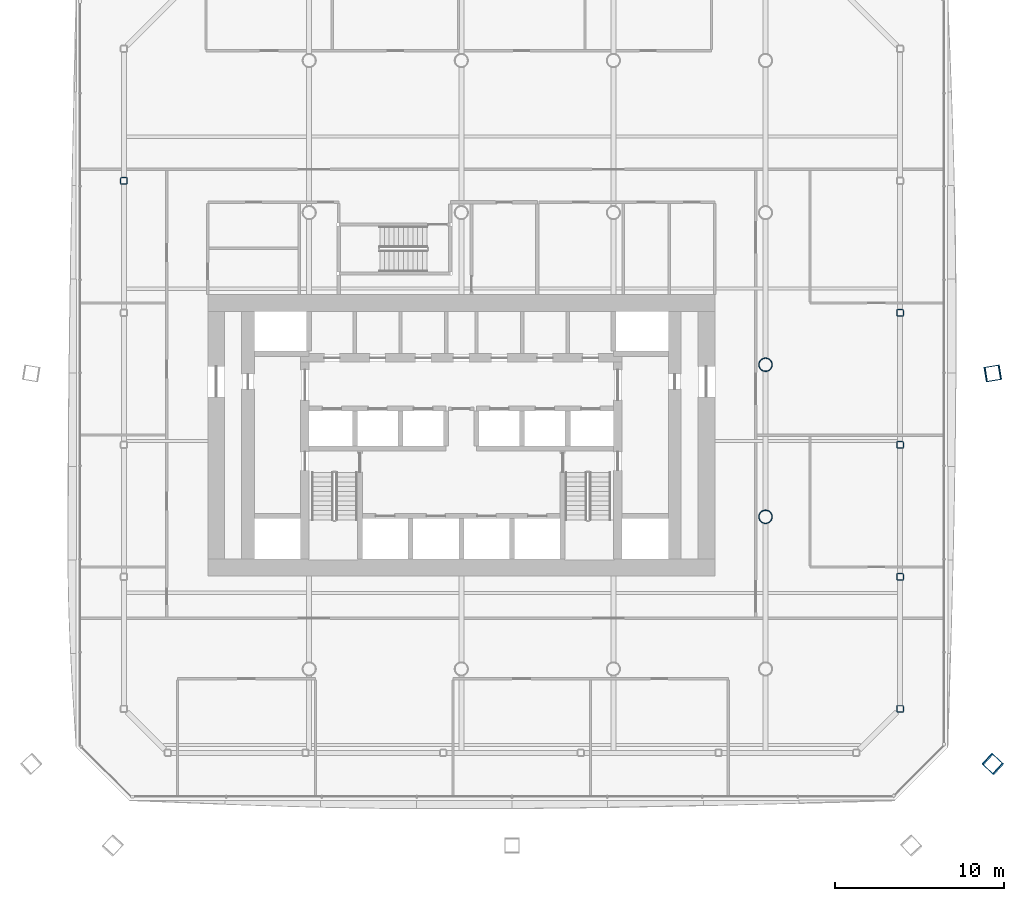
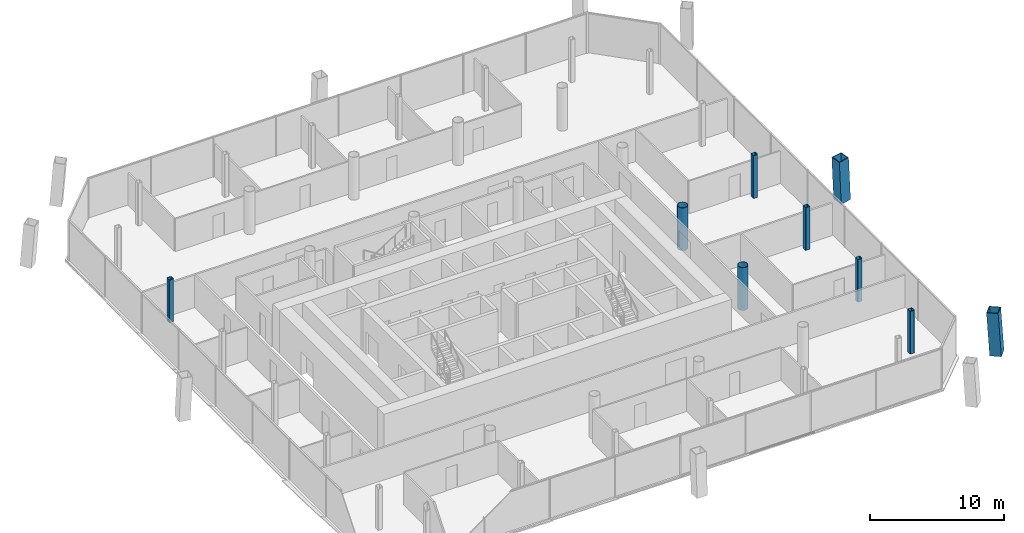
# One storey, part 2 of 20: 9 columns.
"""IFC4 building model written with IfcOpenShell, lengths in metres."""

from ifc_helpers import new_model, si_unit, direction, frame, origin, origin_2d, place, context, subcontext, project, spatial, hollow_rectangle, hollow_circle, extrude, material, material_profile, profile_set, type_object, element, save


model = new_model("IFC4")

# Units and contexts
model_context = context("Model", 3, precision=1e-05, world=origin(), true_north=direction((0.0, 1.0)))
body_context = subcontext(model_context, "Body", "Model", "MODEL_VIEW")
ifc_project = project(units=[si_unit("LENGTHUNIT", "METRE"), si_unit("AREAUNIT", "SQUARE_METRE"), si_unit("VOLUMEUNIT", "CUBIC_METRE"), si_unit("PLANEANGLEUNIT", "RADIAN"), si_unit("MASSUNIT", "GRAM", prefix="KILO")], contexts=[model_context])

# Site, building, storey
site_placement = place(None, origin())
site = spatial("IfcSite", under=ifc_project, at=site_placement, CompositionType="ELEMENT")
building_placement = place(site_placement, origin())
building = spatial("IfcBuilding", under=site, at=building_placement, Name="Tskaro Facet Tower", CompositionType="ELEMENT")
storey_placement = place(building_placement, frame((0.0, 0.0, 66.0)))
storey = spatial("IfcBuildingStorey", under=building, at=storey_placement, Name="L15", CompositionType="ELEMENT", Elevation=66.0)

# Columns
ifc_material_1 = material(Name="Steel S460M", Category="steel")
ifc_material_profile_1 = material_profile(ifc_material_1, hollow_rectangle(XDim=0.89990234375, YDim=0.89990234375, WallThickness=0.054931640625, at=origin_2d()), Name="BOX 900x900x55")
ifc_profile_set_1 = profile_set([ifc_material_profile_1], Name="Steel S460M")
column_type_1 = type_object("IfcColumnType", Name="BOX 900x900x55 mega column", PredefinedType="COLUMN", material=ifc_profile_set_1)
column_1_placement = place(storey_placement, frame((31.47607421875, -23.64892578125, 0.0), z_axis=(-0.046607430126, 0.042733890357, 0.997998778592), x_axis=(-0.675814105711, -0.737072109445, 0.0)))
element("IfcColumn", 1, at=column_1_placement, inside=storey, type_object=column_type_1, Name="BOX 900x900x55 MC04/2", PredefinedType="COLUMN", context=body_context, shape_type="SweptSolid", body=[
    extrude(hollow_rectangle(XDim=0.89990234375, YDim=0.89990234375, WallThickness=0.054931640625, at=origin_2d()), origin(), (0.0, 0.0, 1.0), 3.90771484375),
])
column_2_placement = place(storey_placement, frame((31.47607421875, -0.508056640625, 0.0), z_axis=(-0.046648665532, -0.007691401958, 0.998881746925), x_axis=(0.162682900473, -0.986678404493, 0.0)))
element("IfcColumn", 2, at=column_2_placement, inside=storey, type_object=column_type_1, Name="BOX 900x900x55 MC05/2", PredefinedType="COLUMN", context=body_context, shape_type="SweptSolid", body=[
    extrude(hollow_rectangle(XDim=0.89990234375, YDim=0.89990234375, WallThickness=0.054931640625, at=origin_2d()), origin(), (0.0, 0.0, 1.0), 3.904296875),
])
ifc_material_2 = material(Name="Steel S355J2H", Category="steel")
ifc_material_profile_2 = material_profile(ifc_material_2, hollow_circle(Radius=0.406494140625, WallThickness=0.035888671875, at=origin_2d()), Name="CHS 812.8x36")
ifc_profile_set_2 = profile_set([ifc_material_profile_2], Name="Steel S355J2H")
column_type_2 = type_object("IfcColumnType", Name="CHS 812.8x36 interior column", PredefinedType="COLUMN", material=ifc_profile_set_2)
for number, where, z_axis, x_axis, name in (
    (3, (18.0, -9.0, 0.0), (0.0, 0.0, 1.0), (1.0, 0.0, 0.0), "CHS 812.8x36 C6C/2"),
    (4, (18.0, 0.0, 0.0), (0.0, 0.0, 1.0), (1.0, 0.0, 0.0), "CHS 812.8x36 C6D/2"),
):
    element("IfcColumn", number, at=place(storey_placement, frame(where, z_axis=z_axis, x_axis=x_axis)), inside=storey, type_object=column_type_2, Name=name, PredefinedType="COLUMN", context=body_context, shape_type="SweptSolid", body=[
        extrude(hollow_circle(Radius=0.406494140625, WallThickness=0.035888671875, at=origin_2d()), origin(), (0.0, 0.0, 1.0), 3.89990234375),
    ])
ifc_material_profile_3 = material_profile(ifc_material_2, hollow_rectangle(XDim=0.39990234375, YDim=0.39990234375, WallThickness=0.02490234375, InnerFilletRadius=0.03759765625, OuterFilletRadius=0.0625, at=origin_2d()), Name="SHS 400x400x25")
ifc_profile_set_3 = profile_set([ifc_material_profile_3], Name="Steel S355J2H")
column_type_3 = type_object("IfcColumnType", Name="SHS 400x400x25 ring column", PredefinedType="COLUMN", material=ifc_profile_set_3)
for number, where, z_axis, x_axis, name in (
    (5, (25.965087890625, -20.364013671875, 0.0), (0.0, 0.0, 1.0), (1.0, 0.0, 0.0), "SHS 400x400x25 RE-1/2"),
    (6, (25.965087890625, -12.552978515625, 0.0), (0.0, 0.0, 1.0), (1.0, 0.0, 0.0), "SHS 400x400x25 RE-2/2"),
    (7, (25.965087890625, -4.741943359375, 0.0), (0.0, 0.0, 1.0), (1.0, 0.0, 0.0), "SHS 400x400x25 RE-3/2"),
    (8, (25.965087890625, 3.068115234375, 0.0), (0.0, 0.0, 1.0), (1.0, 0.0, 0.0), "SHS 400x400x25 RE-4/2"),
    (9, (-19.965087890625, 10.87890625, 0.0), (0.0, 0.0, 1.0), (1.0, 0.0, 0.0), "SHS 400x400x25 RW-2/2"),
):
    element("IfcColumn", number, at=place(storey_placement, frame(where, z_axis=z_axis, x_axis=x_axis)), inside=storey, type_object=column_type_3, Name=name, PredefinedType="COLUMN", context=body_context, shape_type="SweptSolid", body=[
        extrude(hollow_rectangle(XDim=0.39990234375, YDim=0.39990234375, WallThickness=0.02490234375, InnerFilletRadius=0.03759765625, OuterFilletRadius=0.0625, at=origin_2d()), origin(), (0.0, 0.0, 1.0), 3.89990234375),
    ])

save(model, "model.ifc")
